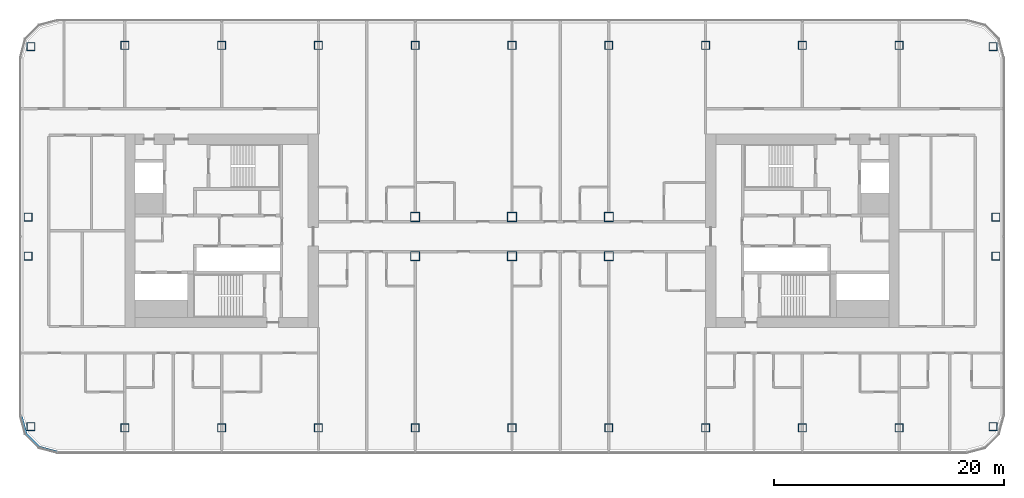
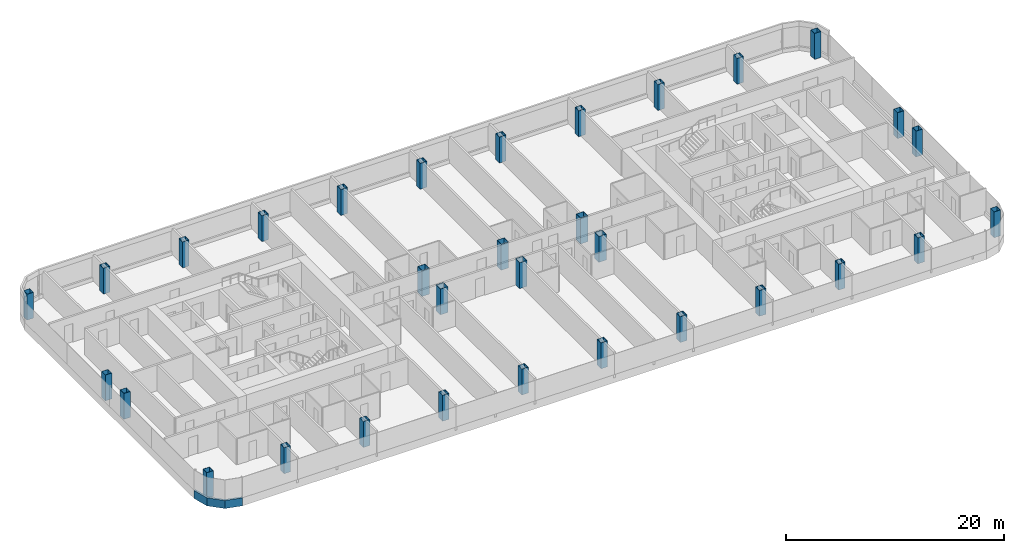
# One storey, part 1 of 26: 32 columns, 1 member, 1 element without a shape of its own.
"""IFC4 building model written with IfcOpenShell, lengths in metres."""

from ifc_helpers import new_model, si_unit, direction, frame, origin, origin_2d, place, context, subcontext, project, spatial, polyline, rectangle, hollow_rectangle, outline, extrude, material, layer, layer_set, material_profile, profile_set, type_object, element, aggregate, save


model = new_model("IFC4")

# Units and contexts
model_context = context("Model", 3, precision=1e-05, world=origin(), true_north=direction((0.0, 1.0)))
body_context = subcontext(model_context, "Body", "Model", "MODEL_VIEW")
ifc_project = project(units=[si_unit("LENGTHUNIT", "METRE"), si_unit("AREAUNIT", "SQUARE_METRE"), si_unit("VOLUMEUNIT", "CUBIC_METRE"), si_unit("PLANEANGLEUNIT", "RADIAN"), si_unit("MASSUNIT", "GRAM", prefix="KILO")], contexts=[model_context])

# Site, building, storey
site_placement = place(None, origin())
site = spatial("IfcSite", under=ifc_project, at=site_placement, CompositionType="ELEMENT")
building_placement = place(site_placement, origin())
building = spatial("IfcBuilding", under=site, at=building_placement, Name="Hakoniwa Tower and Hamabe Station Hall", CompositionType="ELEMENT")
storey_placement = place(building_placement, frame((0.0, 0.0, 172.60009765625)))
storey = spatial("IfcBuildingStorey", under=building, at=storey_placement, Name="L49", CompositionType="ELEMENT", Elevation=172.60009765625)

# Columns
ifc_material_1 = material(Name="Steel SN490C", Category="steel")
ifc_material_profile_1 = material_profile(ifc_material_1, hollow_rectangle(XDim=0.699951171875, YDim=0.699951171875, WallThickness=0.028076171875, at=origin_2d()), Name="BX-700x700x28")
ifc_profile_set_1 = profile_set([ifc_material_profile_1], Name="Steel SN490C")
column_type_1 = type_object("IfcColumnType", Name="COLUMN BX-700x700x28", PredefinedType="COLUMN", material=ifc_profile_set_1)
for number, where, z_axis, x_axis, name in (
    (1, (-41.74853515625, -16.99365234375, 0.0), (0.0, 0.0, 1.0), (1.0, 0.0, 0.0), "Column B3-2-A3"),
    (2, (-42.0, -2.199951171875, 0.0), (0.0, 0.0, 1.0), (1.0, 0.0, 0.0), "Column B3-2-C3"),
    (3, (-42.0, 1.199951171875, 0.0), (0.0, 0.0, 1.0), (1.0, 0.0, 0.0), "Column B3-2-D3"),
    (4, (-41.74853515625, 15.99365234375, 0.0), (0.0, 0.0, 1.0), (1.0, 0.0, 0.0), "Column B3-2-F3"),
    (5, (-33.60009765625, -17.10009765625, 0.0), (0.0, 0.0, 1.0), (1.0, 0.0, 0.0), "Column B3-3-A3"),
    (6, (-33.60009765625, 16.10009765625, 0.0), (0.0, 0.0, 1.0), (1.0, 0.0, 0.0), "Column B3-3-F3"),
    (7, (-25.199951171875, -17.10009765625, 0.0), (0.0, 0.0, 1.0), (1.0, 0.0, 0.0), "Column B3-4-A3"),
    (8, (-25.199951171875, 16.10009765625, 0.0), (0.0, 0.0, 1.0), (1.0, 0.0, 0.0), "Column B3-4-F3"),
    (9, (-16.800048828125, -17.10009765625, 0.0), (0.0, 0.0, 1.0), (1.0, 0.0, 0.0), "Column B3-5-A3"),
    (10, (-16.800048828125, 16.10009765625, 0.0), (0.0, 0.0, 1.0), (1.0, 0.0, 0.0), "Column B3-5-F3"),
    (11, (-8.39990234375, -17.10009765625, 0.0), (0.0, 0.0, 1.0), (1.0, 0.0, 0.0), "Column B3-6-A3"),
    (12, (-8.39990234375, 16.10009765625, 0.0), (0.0, 0.0, 1.0), (1.0, 0.0, 0.0), "Column B3-6-F3"),
    (13, (0.0, -17.10009765625, 0.0), (0.0, 0.0, 1.0), (1.0, 0.0, 0.0), "Column B3-7-A3"),
    (14, (0.0, 16.10009765625, 0.0), (0.0, 0.0, 1.0), (1.0, 0.0, 0.0), "Column B3-7-F3"),
    (15, (8.39990234375, -17.10009765625, 0.0), (0.0, 0.0, 1.0), (1.0, 0.0, 0.0), "Column B3-8-A3"),
    (16, (8.39990234375, 16.10009765625, 0.0), (0.0, 0.0, 1.0), (1.0, 0.0, 0.0), "Column B3-8-F3"),
    (17, (16.800048828125, -17.10009765625, 0.0), (0.0, 0.0, 1.0), (1.0, 0.0, 0.0), "Column B3-9-A3"),
    (18, (16.800048828125, 16.10009765625, 0.0), (0.0, 0.0, 1.0), (1.0, 0.0, 0.0), "Column B3-9-F3"),
    (19, (25.199951171875, -17.10009765625, 0.0), (0.0, 0.0, 1.0), (1.0, 0.0, 0.0), "Column B3-10-A3"),
    (20, (25.199951171875, 16.10009765625, 0.0), (0.0, 0.0, 1.0), (1.0, 0.0, 0.0), "Column B3-10-F3"),
    (21, (33.60009765625, -17.10009765625, 0.0), (0.0, 0.0, 1.0), (1.0, 0.0, 0.0), "Column B3-11-A3"),
    (22, (33.60009765625, 16.10009765625, 0.0), (0.0, 0.0, 1.0), (1.0, 0.0, 0.0), "Column B3-11-F3"),
    (23, (41.74853515625, -16.99365234375, 0.0), (0.0, 0.0, 1.0), (1.0, 0.0, 0.0), "Column B3-12-A3"),
    (24, (42.0, -2.199951171875, 0.0), (0.0, 0.0, 1.0), (1.0, 0.0, 0.0), "Column B3-12-C3"),
    (25, (42.0, 1.199951171875, 0.0), (0.0, 0.0, 1.0), (1.0, 0.0, 0.0), "Column B3-12-D3"),
    (26, (41.74853515625, 15.99365234375, 0.0), (0.0, 0.0, 1.0), (1.0, 0.0, 0.0), "Column B3-12-F3"),
):
    element("IfcColumn", number, at=place(storey_placement, frame(where, z_axis=z_axis, x_axis=x_axis)), inside=storey, type_object=column_type_1, Name=name, PredefinedType="COLUMN", context=body_context, shape_type="SweptSolid", body=[
        extrude(hollow_rectangle(XDim=0.699951171875, YDim=0.699951171875, WallThickness=0.028076171875, at=origin_2d()), origin(), (0.0, 0.0, 1.0), 2.89990234375),
    ])
ifc_material_2 = material(Name="Steel SN490C", Category="steel")
ifc_material_profile_2 = material_profile(ifc_material_2, hollow_rectangle(XDim=0.800048828125, YDim=0.800048828125, WallThickness=0.031982421875, at=origin_2d()), Name="BX-800x800x32")
ifc_profile_set_2 = profile_set([ifc_material_profile_2], Name="Steel SN490C")
column_type_2 = type_object("IfcColumnType", Name="COLUMN BX-800x800x32", PredefinedType="COLUMN", material=ifc_profile_set_2)
for number, where, z_axis, x_axis, name in (
    (27, (-8.39990234375, -2.199951171875, 0.0), (0.0, 0.0, 1.0), (1.0, 0.0, 0.0), "Column B3-6-C3"),
    (28, (-8.39990234375, 1.199951171875, 0.0), (0.0, 0.0, 1.0), (1.0, 0.0, 0.0), "Column B3-6-D3"),
    (29, (0.0, -2.199951171875, 0.0), (0.0, 0.0, 1.0), (1.0, 0.0, 0.0), "Column B3-7-C3"),
    (30, (0.0, 1.199951171875, 0.0), (0.0, 0.0, 1.0), (1.0, 0.0, 0.0), "Column B3-7-D3"),
    (31, (8.39990234375, -2.199951171875, 0.0), (0.0, 0.0, 1.0), (1.0, 0.0, 0.0), "Column B3-8-C3"),
    (32, (8.39990234375, 1.199951171875, 0.0), (0.0, 0.0, 1.0), (1.0, 0.0, 0.0), "Column B3-8-D3"),
):
    element("IfcColumn", number, at=place(storey_placement, frame(where, z_axis=z_axis, x_axis=x_axis)), inside=storey, type_object=column_type_2, Name=name, PredefinedType="COLUMN", context=body_context, shape_type="SweptSolid", body=[
        extrude(hollow_rectangle(XDim=0.800048828125, YDim=0.800048828125, WallThickness=0.031982421875, at=origin_2d()), origin(), (0.0, 0.0, 1.0), 2.89990234375),
    ])

# Curtain wall, member
ifc_material_3 = material(Name="Dark low-e laminated glass", Category="glass")
ifc_layer = layer(ifc_material_3, 0.199951171875)
ifc_layer_set = layer_set([ifc_layer], Name="CW-1 UNITISED GUEST")
curtain_wall_type = type_object("IfcCurtainWallType", Name="CW-1 UNITISED GUEST", PredefinedType="NOTDEFINED", material=ifc_layer_set)
curtain_wall_placement = place(storey_placement, origin())
curtain_wall = element("IfcCurtainWall", 33, at=curtain_wall_placement, inside=storey, type_object=curtain_wall_type, Name="CW-1 curtain wall", PredefinedType="NOTDEFINED")
ifc_material_4 = material(Name="Aluminium 6063-T5 black anodised", Category="aluminium")
ifc_material_profile_3 = material_profile(ifc_material_4, rectangle(XDim=0.199951171875, YDim=0.89990234375, at=origin_2d()), Name="CW SLAB-EDGE BAND 900X200")
ifc_profile_set_3 = profile_set([ifc_material_profile_3], Name="Aluminium 6063-T5 black anodised")
member_type = type_object("IfcMemberType", Name="CW SLAB-EDGE BAND 900X200", PredefinedType="USERDEFINED", material=ifc_profile_set_3)
member_placement = place(storey_placement, frame((0.0, 0.0, -0.550048828125)))
member = element("IfcMember", 34, at=member_placement, type_object=member_type, Name="CW-1 transom", ObjectType="TRANSOM", PredefinedType="USERDEFINED", context=body_context, shape_type="SweptSolid", body=[
    extrude(outline(polyline([(-42.699951171875, -16.03955078125), (-42.26708984375, -17.6552734375), (-41.05517578125, -18.866943359375), (-39.439453125, -19.300048828125), (-39.3876953125, -19.10693359375), (-40.95166015625, -18.687744140625), (-42.087646484375, -17.5517578125), (-42.5068359375, -15.98779296875), (-42.699951171875, -16.03955078125)])), origin(), (0.0, 0.0, 1.0), 0.89990234375),
])
aggregate(curtain_wall, [member])

save(model, "model.ifc")
